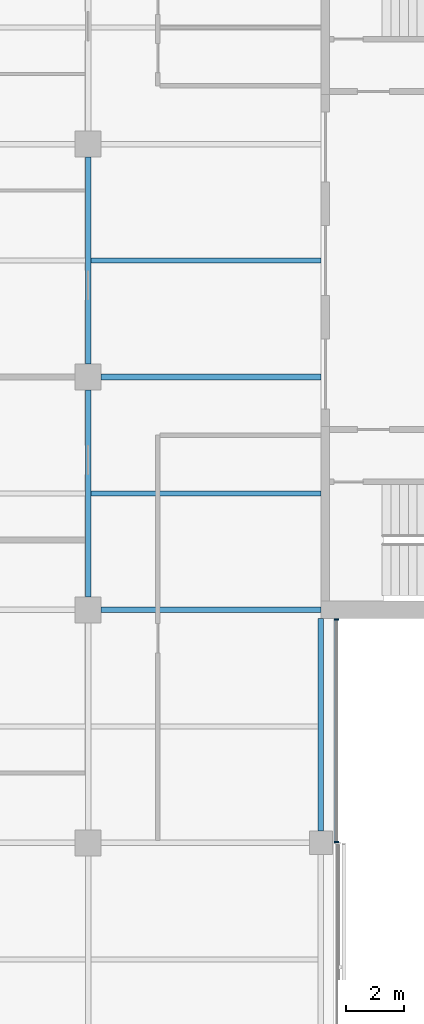
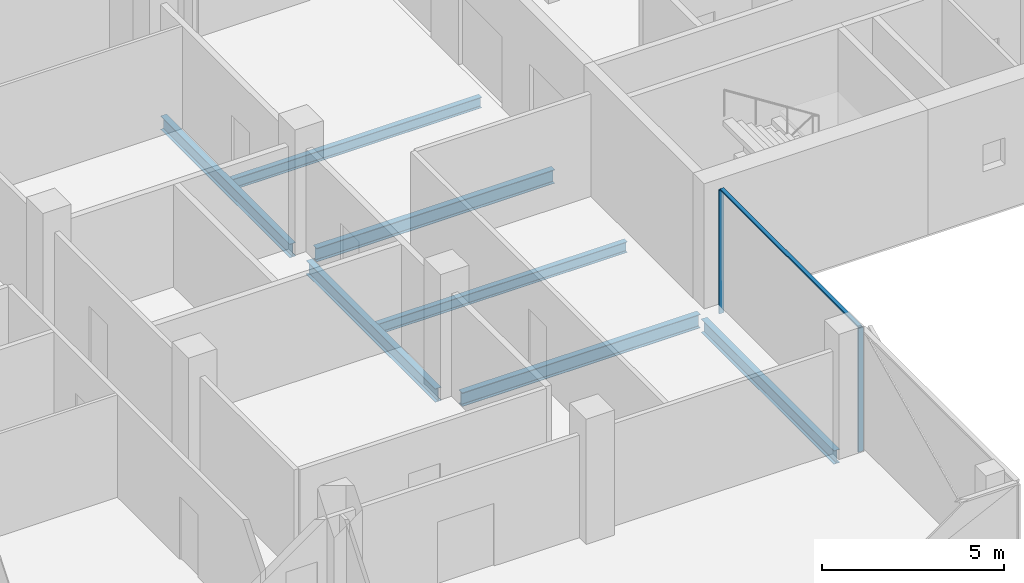
# One storey, part 4 of 15: 7 beams, 3 members, 1 element without a shape of its own.
"""IFC4 building model written with IfcOpenShell, lengths in metres."""

from ifc_helpers import new_model, si_unit, direction, frame, origin, origin_2d, place, context, subcontext, project, spatial, rectangle, i_section, extrude, material, material_profile, profile_set, type_object, element, aggregate, save


model = new_model("IFC4")

# Units and contexts
model_context = context("Model", 3, precision=1e-05, world=origin(), true_north=direction((0.0, 1.0)))
body_context = subcontext(model_context, "Body", "Model", "MODEL_VIEW")
ifc_project = project(units=[si_unit("LENGTHUNIT", "METRE"), si_unit("AREAUNIT", "SQUARE_METRE"), si_unit("VOLUMEUNIT", "CUBIC_METRE"), si_unit("PLANEANGLEUNIT", "RADIAN"), si_unit("MASSUNIT", "GRAM", prefix="KILO")], contexts=[model_context])

# Site, building, storey
site_placement = place(None, origin())
site = spatial("IfcSite", under=ifc_project, at=site_placement, CompositionType="ELEMENT")
building_placement = place(site_placement, origin())
building = spatial("IfcBuilding", under=site, at=building_placement, Name="Crosswind Convention Tower", CompositionType="ELEMENT")
storey_placement = place(building_placement, frame((0.0, 0.0, 225.10009765625)))
storey = spatial("IfcBuildingStorey", under=building, at=storey_placement, Name="L48", CompositionType="ELEMENT", Elevation=225.10009765625)

# Beams
ifc_material_1 = material(Name="Steel S355", Category="steel")
ifc_material_profile_1 = material_profile(ifc_material_1, i_section(OverallWidth=0.18994140625, OverallDepth=0.45361328125, WebThickness=0.008544921875, FlangeThickness=0.0126953125, FilletRadius=0.01025390625, at=origin_2d()), Name="UB 457x191x67")
ifc_profile_set_1 = profile_set([ifc_material_profile_1], Name="Steel S355")
beam_type_1 = type_object("IfcBeamType", Name="Edge beam UB 457x191x67", PredefinedType="SPANDREL", material=ifc_profile_set_1)
beam_placement = place(storey_placement, frame((137.0, 80.39990234375, -0.52685546875), z_axis=(0.0, 1.0, 0.0), x_axis=(-1.0, 0.0, 0.0)))
element("IfcBeam", 1, at=beam_placement, inside=storey, type_object=beam_type_1, Name="B16 L48 edge beam 12", PredefinedType="SPANDREL", context=body_context, shape_type="SweptSolid", body=[
    extrude(i_section(OverallWidth=0.18994140625, OverallDepth=0.45361328125, WebThickness=0.008544921875, FlangeThickness=0.0126953125, FilletRadius=0.01025390625, at=origin_2d()), origin(), (0.0, 0.0, 1.0), 7.300048828125),
])
ifc_material_profile_2 = material_profile(ifc_material_1, i_section(OverallWidth=0.1904296875, OverallDepth=0.457275390625, WebThickness=0.009033203125, FlangeThickness=0.014404296875, FilletRadius=0.01025390625, at=origin_2d()), Name="UB 457x191x75")
ifc_profile_set_2 = profile_set([ifc_material_profile_2], Name="Steel S355")
beam_type_2 = type_object("IfcBeamType", Name="Girder UB 457x191x75", PredefinedType="BEAM", material=ifc_profile_set_2)
for number, where, z_axis, x_axis, name in (
    (2, (129.0, 88.449951171875, -0.52880859375), (0.0, 1.0, 0.0), (-1.0, 0.0, 0.0), "B2 L48 girder 18"),
    (3, (129.0, 96.449951171875, -0.52880859375), (0.0, 1.0, 0.0), (-1.0, 0.0, 0.0), "B2 L48 girder 19"),
):
    element("IfcBeam", number, at=place(storey_placement, frame(where, z_axis=z_axis, x_axis=x_axis)), inside=storey, type_object=beam_type_2, Name=name, PredefinedType="BEAM", context=body_context, shape_type="SweptSolid", body=[
        extrude(i_section(OverallWidth=0.1904296875, OverallDepth=0.457275390625, WebThickness=0.009033203125, FlangeThickness=0.014404296875, FilletRadius=0.01025390625, at=origin_2d()), origin(), (0.0, 0.0, 1.0), 7.10009765625),
    ])
ifc_material_profile_3 = material_profile(ifc_material_1, i_section(OverallWidth=0.19140625, OverallDepth=0.460205078125, WebThickness=0.010009765625, FlangeThickness=0.01611328125, FilletRadius=0.01025390625, at=origin_2d()), Name="UB 457x191x82")
ifc_profile_set_3 = profile_set([ifc_material_profile_3], Name="Steel S355")
beam_type_3 = type_object("IfcBeamType", Name="Girder at core wall UB 457x191x82", PredefinedType="BEAM", material=ifc_profile_set_3)
for number, where, z_axis, x_axis, name in (
    (4, (129.449951171875, 88.0, -0.5302734375), (1.0, 0.0, 0.0), (0.0, 1.0, 0.0), "B23 L48 girder at core wall 5"),
    (5, (129.449951171875, 96.0, -0.5302734375), (1.0, 0.0, 0.0), (0.0, 1.0, 0.0), "B23 L48 girder at core wall 6"),
):
    element("IfcBeam", number, at=place(storey_placement, frame(where, z_axis=z_axis, x_axis=x_axis)), inside=storey, type_object=beam_type_3, Name=name, PredefinedType="BEAM", context=body_context, shape_type="SweptSolid", body=[
        extrude(i_section(OverallWidth=0.19140625, OverallDepth=0.460205078125, WebThickness=0.010009765625, FlangeThickness=0.01611328125, FilletRadius=0.01025390625, at=origin_2d()), origin(), (0.0, 0.0, 1.0), 7.550048828125),
    ])

# Curtain wall, members
ifc_material_2 = material(Name="Aluminium unitised curtain wall", Category="aluminium")
curtain_wall_type = type_object("IfcCurtainWallType", Name="CORE END SLOT WALL 160", PredefinedType="USERDEFINED", material=ifc_material_2)
curtain_wall_placement = place(storey_placement, origin())
curtain_wall = element("IfcCurtainWall", 6, at=curtain_wall_placement, inside=storey, type_object=curtain_wall_type, Name="CW6 L48 S-E.1-2 slot", ObjectType="UNITISED", PredefinedType="USERDEFINED")
ifc_material_3 = material(Name="Aluminium mullion", Category="aluminium")
ifc_material_profile_4 = material_profile(ifc_material_3, rectangle(XDim=0.159912109375, YDim=0.050048828125, at=origin_2d()), Name="AL 160X50")
ifc_profile_set_4 = profile_set([ifc_material_profile_4], Name="Aluminium mullion")
member_type_1 = type_object("IfcMemberType", Name="MULLION 50X160", PredefinedType="MULLION", material=ifc_profile_set_4)
member_1_placement = place(storey_placement, frame((137.530029296875, 80.02490234375, -0.300048828125), z_axis=(0.0, 0.0, 1.0), x_axis=(1.0, 0.0, 0.0)))
member_1 = element("IfcMember", 7, at=member_1_placement, type_object=member_type_1, Name="CW6 mullion 1", PredefinedType="MULLION", context=body_context, shape_type="SweptSolid", body=[
    extrude(rectangle(XDim=0.159912109375, YDim=0.050048828125, at=origin_2d()), origin(), (0.0, 0.0, 1.0), 4.14990234375),
])
member_2_placement = place(storey_placement, frame((137.530029296875, 87.675048828125, -0.300048828125), z_axis=(0.0, 0.0, 1.0), x_axis=(1.0, 0.0, 0.0)))
member_2 = element("IfcMember", 8, at=member_2_placement, type_object=member_type_1, Name="CW6 mullion 2", PredefinedType="MULLION", context=body_context, shape_type="SweptSolid", body=[
    extrude(rectangle(XDim=0.159912109375, YDim=0.050048828125, at=origin_2d()), origin(), (0.0, 0.0, 1.0), 4.14990234375),
])

# Beams
ifc_material_profile_5 = material_profile(ifc_material_1, i_section(OverallWidth=0.172119140625, OverallDepth=0.358642578125, WebThickness=0.008056640625, FlangeThickness=0.012939453125, FilletRadius=0.01025390625, at=origin_2d()), Name="UB 356x171x57")
ifc_profile_set_5 = profile_set([ifc_material_profile_5], Name="Steel S355")
beam_type_4 = type_object("IfcBeamType", Name="Secondary beam UB 356x171x57", PredefinedType="JOIST", material=ifc_profile_set_5)
for number, where, z_axis, x_axis, name in (
    (9, (129.09521484375, 92.0, -0.4794921875), (1.0, 0.0, 0.0), (0.0, 1.0, 0.0), "B9 L48 secondary beam 17"),
    (10, (129.09521484375, 100.0, -0.4794921875), (1.0, 0.0, 0.0), (0.0, 1.0, 0.0), "B9 L48 secondary beam 18"),
):
    element("IfcBeam", number, at=place(storey_placement, frame(where, z_axis=z_axis, x_axis=x_axis)), inside=storey, type_object=beam_type_4, Name=name, PredefinedType="JOIST", context=body_context, shape_type="SweptSolid", body=[
        extrude(i_section(OverallWidth=0.172119140625, OverallDepth=0.358642578125, WebThickness=0.008056640625, FlangeThickness=0.012939453125, FilletRadius=0.01025390625, at=origin_2d()), origin(), (0.0, 0.0, 1.0), 7.90478515625),
    ])

# Member
ifc_material_4 = material(Name="Aluminium transom", Category="aluminium")
ifc_material_profile_6 = material_profile(ifc_material_4, rectangle(XDim=0.1201171875, YDim=0.050048828125, at=origin_2d()), Name="AL 120X50")
ifc_profile_set_6 = profile_set([ifc_material_profile_6], Name="Aluminium transom")
member_type_2 = type_object("IfcMemberType", Name="TRANSOM 50X120", PredefinedType="USERDEFINED", material=ifc_profile_set_6)
member_3_placement = place(storey_placement, frame((137.530029296875, 80.050048828125, 3.875), z_axis=(0.0, 1.0, 0.0), x_axis=(-1.0, 0.0, 0.0)))
member_3 = element("IfcMember", 11, at=member_3_placement, type_object=member_type_2, Name="CW6 transom", ObjectType="TRANSOM", PredefinedType="USERDEFINED", context=body_context, shape_type="SweptSolid", body=[
    extrude(rectangle(XDim=0.1201171875, YDim=0.050048828125, at=origin_2d()), origin(), (0.0, 0.0, 1.0), 7.599853515625),
])

aggregate(curtain_wall, [member_1, member_2, member_3])

save(model, "model.ifc")
